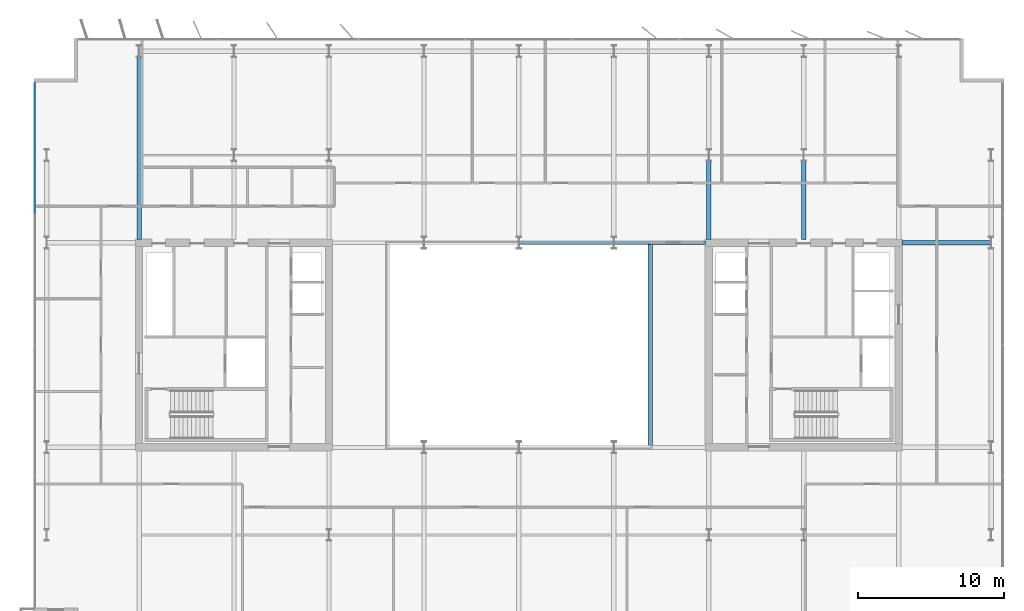
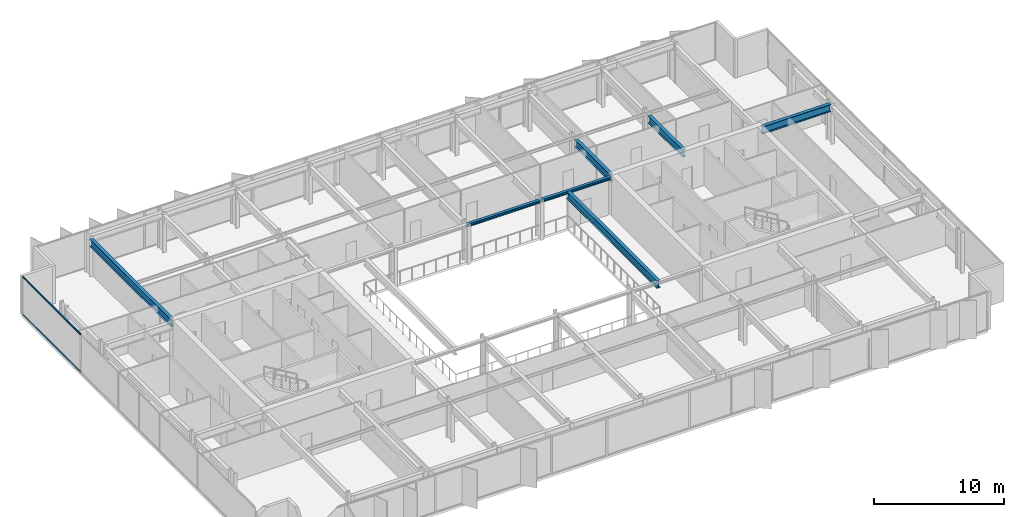
# One storey, part 9 of 23: 7 beams, 2 members, 1 element without a shape of its own.
"""IFC4 building model written with IfcOpenShell, lengths in metres."""

from ifc_helpers import new_model, si_unit, direction, frame, origin, origin_2d, place, context, subcontext, project, spatial, rectangle, i_section, extrude, material, layer, layer_set, material_profile, profile_set, type_object, element, aggregate, save


model = new_model("IFC4")

# Units and contexts
model_context = context("Model", 3, precision=1e-05, world=origin(), true_north=direction((0.0, 1.0)))
body_context = subcontext(model_context, "Body", "Model", "MODEL_VIEW")
ifc_project = project(units=[si_unit("LENGTHUNIT", "METRE"), si_unit("AREAUNIT", "SQUARE_METRE"), si_unit("VOLUMEUNIT", "CUBIC_METRE"), si_unit("PLANEANGLEUNIT", "RADIAN"), si_unit("MASSUNIT", "GRAM", prefix="KILO")], contexts=[model_context])

# Site, building, storey
site_placement = place(None, origin())
site = spatial("IfcSite", under=ifc_project, at=site_placement, CompositionType="ELEMENT")
building_placement = place(site_placement, origin())
building = spatial("IfcBuilding", under=site, at=building_placement, Name="Putna Gate Headquarters", CompositionType="ELEMENT")
storey_placement = place(building_placement, frame((0.0, 0.0, 229.0)))
storey = spatial("IfcBuildingStorey", under=building, at=storey_placement, Name="L57", CompositionType="ELEMENT", Elevation=229.0)

# Beams
ifc_material_1 = material(Name="Steel S355J2", Category="steel")
ifc_material_profile_1 = material_profile(ifc_material_1, i_section(OverallWidth=0.260009765625, OverallDepth=0.260009765625, WebThickness=0.010009765625, FlangeThickness=0.017578125, at=origin_2d()), Name="Steel S355J2")
ifc_profile_set_1 = profile_set([ifc_material_profile_1], Name="Steel S355J2")
beam_type_1 = type_object("IfcBeamType", Name="BM-ATRIUM-HEB260", PredefinedType="BEAM", material=ifc_profile_set_1)
beam_1_placement = place(storey_placement, frame((39.006103515625, 33.0, 3.449951171875), z_axis=(1.0, 0.0, 0.0), x_axis=(0.0, 1.0, 0.0)))
element("IfcBeam", 1, at=beam_1_placement, inside=storey, type_object=beam_type_1, Name="L57 Atrium Edge Beam AN3", PredefinedType="BEAM", context=body_context, shape_type="SweptSolid", body=[
    extrude(i_section(OverallWidth=0.260009765625, OverallDepth=0.260009765625, WebThickness=0.010009765625, FlangeThickness=0.017578125, at=origin_2d()), origin(), (0.0, 0.0, 1.0), 6.48779296875),
])
beam_2_placement = place(storey_placement, frame((45.506103515625, 33.0, 3.449951171875), z_axis=(1.0, 0.0, 0.0), x_axis=(0.0, 1.0, 0.0)))
element("IfcBeam", 2, at=beam_2_placement, inside=storey, type_object=beam_type_1, Name="L57 Atrium Edge Beam AN4", PredefinedType="BEAM", context=body_context, shape_type="SweptSolid", body=[
    extrude(i_section(OverallWidth=0.260009765625, OverallDepth=0.260009765625, WebThickness=0.010009765625, FlangeThickness=0.017578125, at=origin_2d()), origin(), (0.0, 0.0, 1.0), 6.2587890625),
])
ifc_material_profile_2 = material_profile(ifc_material_1, i_section(OverallWidth=0.300048828125, OverallDepth=0.699951171875, WebThickness=0.01708984375, FlangeThickness=0.031982421875, at=origin_2d()), Name="Steel S355J2")
ifc_profile_set_2 = profile_set([ifc_material_profile_2], Name="Steel S355J2")
beam_type_2 = type_object("IfcBeamType", Name="BM-GIRD-B-HEB700", PredefinedType="USERDEFINED", material=ifc_profile_set_2)
beam_3_placement = place(storey_placement, frame((65.235107421875, 33.0, 3.22998046875), z_axis=(1.0, 0.0, 0.0), x_axis=(0.0, 1.0, 0.0)))
element("IfcBeam", 3, at=beam_3_placement, inside=storey, type_object=beam_type_2, Name="L57 East Wing Girder Y33", ObjectType="GIRDER", PredefinedType="USERDEFINED", context=body_context, shape_type="SweptSolid", body=[
    extrude(i_section(OverallWidth=0.300048828125, OverallDepth=0.699951171875, WebThickness=0.01708984375, FlangeThickness=0.031982421875, at=origin_2d()), origin(), (0.0, 0.0, 1.0), 6.078857421875),
])
beam_4_placement = place(storey_placement, frame((13.0, 33.235107421875, 3.22998046875), z_axis=(0.0, 1.0, 0.0), x_axis=(-1.0, 0.0, 0.0)))
element("IfcBeam", 4, at=beam_4_placement, inside=storey, type_object=beam_type_2, Name="L57 North Primary Girder X13", ObjectType="GIRDER", PredefinedType="USERDEFINED", context=body_context, shape_type="SweptSolid", body=[
    extrude(i_section(OverallWidth=0.300048828125, OverallDepth=0.699951171875, WebThickness=0.01708984375, FlangeThickness=0.031982421875, at=origin_2d()), origin(), (0.0, 0.0, 1.0), 12.489990234375),
])
for number, where, z_axis, x_axis, name in (
    (5, (52.0, 33.235107421875, 3.22998046875), (0.0, 1.0, 0.0), (-1.0, 0.0, 0.0), "L57 North Primary Girder X52-1"),
    (6, (58.5, 33.235107421875, 3.22998046875), (0.0, 1.0, 0.0), (-1.0, 0.0, 0.0), "L57 North Primary Girder X58-1"),
):
    element("IfcBeam", number, at=place(storey_placement, frame(where, z_axis=z_axis, x_axis=x_axis)), inside=storey, type_object=beam_type_2, Name=name, ObjectType="GIRDER", PredefinedType="USERDEFINED", context=body_context, shape_type="SweptSolid", body=[
        extrude(i_section(OverallWidth=0.300048828125, OverallDepth=0.699951171875, WebThickness=0.01708984375, FlangeThickness=0.031982421875, at=origin_2d()), origin(), (0.0, 0.0, 1.0), 5.369873046875),
    ])
beam_5_placement = place(storey_placement, frame((48.0, 19.010009765625, 3.22998046875), z_axis=(0.0, 1.0, 0.0), x_axis=(-1.0, 0.0, 0.0)))
element("IfcBeam", 7, at=beam_5_placement, inside=storey, type_object=beam_type_2, Name="L57 Atrium Trim Girder AE", ObjectType="GIRDER", PredefinedType="USERDEFINED", context=body_context, shape_type="SweptSolid", body=[
    extrude(i_section(OverallWidth=0.300048828125, OverallDepth=0.699951171875, WebThickness=0.01708984375, FlangeThickness=0.031982421875, at=origin_2d()), origin(), (0.0, 0.0, 1.0), 13.97998046875),
])

# Curtain wall, members
ifc_material_2 = material(Name="Anodised bronze aluminium curtain wall", Category="aluminium")
ifc_layer = layer(ifc_material_2, 0.139892578125)
ifc_layer_set = layer_set([ifc_layer], Name="Anodised bronze aluminium curtain wall")
curtain_wall_type = type_object("IfcCurtainWallType", Name="CW-SYS-Z4", PredefinedType="USERDEFINED", material=ifc_layer_set)
curtain_wall_placement = place(storey_placement, origin())
curtain_wall = element("IfcCurtainWall", 8, at=curtain_wall_placement, inside=storey, type_object=curtain_wall_type, Name="L57 West Curtain Wall", ObjectType="STICK CURTAIN WALL", PredefinedType="USERDEFINED")
ifc_material_3 = material(Name="Anodised bronze aluminium EN AW-6060", Category="aluminium")
ifc_material_profile_3 = material_profile(ifc_material_3, rectangle(XDim=0.06005859375, YDim=0.10009765625, at=origin_2d()), Name="Anodised bronze aluminium EN AW-6060")
ifc_profile_set_3 = profile_set([ifc_material_profile_3], Name="Anodised bronze aluminium EN AW-6060")
member_type = type_object("IfcMemberType", Name="TRAN-CWT-4", PredefinedType="USERDEFINED", material=ifc_profile_set_3)
member_1_placement = place(storey_placement, frame((5.8798828125, 35.030029296875, 0.030029296875), z_axis=(0.0, 1.0, 0.0), x_axis=(-1.0, 0.0, 0.0)))
member_1 = element("IfcMember", 9, at=member_1_placement, type_object=member_type, Name="CWS-4 transom 4.1", ObjectType="TRANSOM", PredefinedType="USERDEFINED", context=body_context, shape_type="SweptSolid", body=[
    extrude(rectangle(XDim=0.06005859375, YDim=0.10009765625, at=origin_2d()), origin(), (0.0, 0.0, 1.0), 8.909912109375),
])
member_2_placement = place(storey_placement, frame((5.8798828125, 35.030029296875, 3.550048828125), z_axis=(0.0, 1.0, 0.0), x_axis=(-1.0, 0.0, 0.0)))
member_2 = element("IfcMember", 10, at=member_2_placement, type_object=member_type, Name="CWS-4 transom 4.2", ObjectType="TRANSOM", PredefinedType="USERDEFINED", context=body_context, shape_type="SweptSolid", body=[
    extrude(rectangle(XDim=0.06005859375, YDim=0.10009765625, at=origin_2d()), origin(), (0.0, 0.0, 1.0), 8.909912109375),
])
aggregate(curtain_wall, [member_1, member_2])

save(model, "model.ifc")
